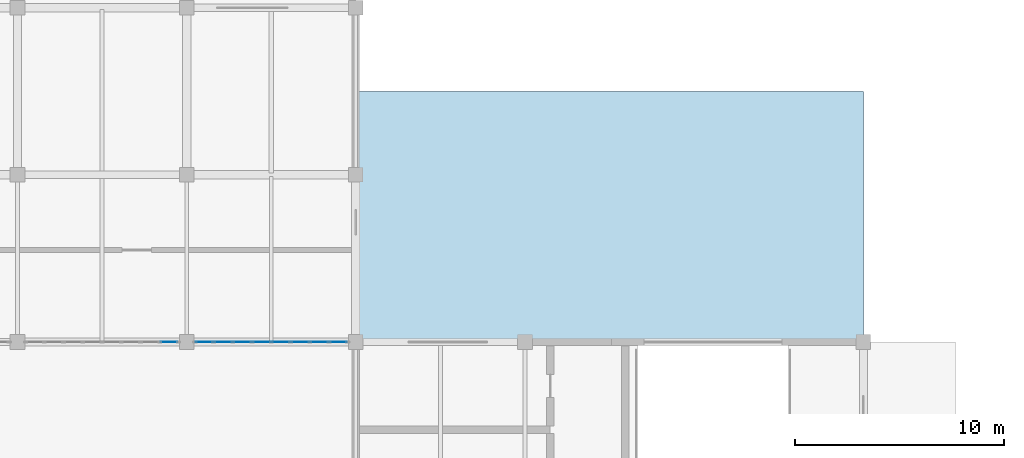
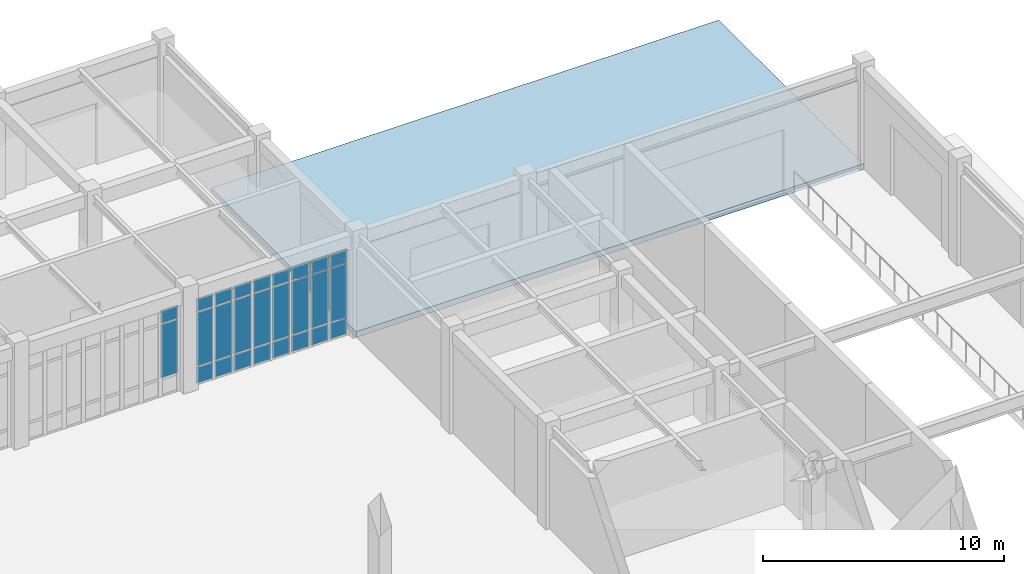
# One storey, part 39 of 62: 26 plates, 1 slab, 2 elements without a shape of their own.
"""IFC4 building model written with IfcOpenShell, lengths in metres."""

from ifc_helpers import new_model, si_unit, direction, frame, origin, origin_2d, place, context, subcontext, project, spatial, polyline, rectangle, outline, extrude, material, layer, layer_set, type_object, element, aggregate, save


model = new_model("IFC4")

# Units and contexts
model_context = context("Model", 3, precision=1e-05, world=origin(), true_north=direction((0.0, 1.0)))
body_context = subcontext(model_context, "Body", "Model", "MODEL_VIEW")
ifc_project = project(units=[si_unit("LENGTHUNIT", "METRE"), si_unit("AREAUNIT", "SQUARE_METRE"), si_unit("VOLUMEUNIT", "CUBIC_METRE"), si_unit("PLANEANGLEUNIT", "RADIAN"), si_unit("MASSUNIT", "GRAM", prefix="KILO")], contexts=[model_context])

# Site, building, storey
site_placement = place(None, origin())
site = spatial("IfcSite", under=ifc_project, at=site_placement, CompositionType="ELEMENT")
building_placement = place(site_placement, origin())
building = spatial("IfcBuilding", under=site, at=building_placement, Name="Tarnveldt Square Police Headquarters", CompositionType="ELEMENT")
storey_placement = place(building_placement, origin())
storey = spatial("IfcBuildingStorey", under=building, at=storey_placement, Name="L00", CompositionType="ELEMENT", Elevation=0.0)

# Curtain wall, plates
ifc_material_1 = material(Name="Triple-glazed low-e laminated vision glass", Category="glass")
curtain_wall_type = type_object("IfcCurtainWallType", Name="CW-LB-737x441", PredefinedType="USERDEFINED", material=ifc_material_1)
curtain_wall_1_placement = place(storey_placement, origin())
curtain_wall_1 = element("IfcCurtainWall", 1, at=curtain_wall_1_placement, inside=storey, type_object=curtain_wall_type, Name="L00 Curtain Wall CW-L00-103", ObjectType="GLAZED CURTAIN WALL", PredefinedType="USERDEFINED")
ifc_layer_1 = layer(ifc_material_1, 0.028076171875)
ifc_layer_set_1 = layer_set([ifc_layer_1], Name="Triple-glazed low-e laminated vision glass")
plate_type = type_object("IfcPlateType", Name="CWP-VIS-28", PredefinedType="CURTAIN_PANEL", material=ifc_layer_set_1)
plate_1_placement = place(storey_placement, frame((96.355712890625, 96.0, 0.9326171875), z_axis=(0.0, 0.0, 1.0), x_axis=(1.0, 0.0, 0.0)))
plate_1 = element("IfcPlate", 2, at=plate_1_placement, type_object=plate_type, Name="CW-LB59 panel 8.2", PredefinedType="CURTAIN_PANEL", context=body_context, shape_type="SweptSolid", body=[
    extrude(rectangle(XDim=0.808837890625, YDim=0.028076171875, at=origin_2d()), origin(), (0.0, 0.0, 1.0), 2.697021484375),
])
plate_2_placement = place(storey_placement, frame((96.355712890625, 96.0, 3.6943359375), z_axis=(0.0, 0.0, 1.0), x_axis=(1.0, 0.0, 0.0)))
plate_2 = element("IfcPlate", 3, at=plate_2_placement, type_object=plate_type, Name="CW-LB59 panel 8.3", PredefinedType="CURTAIN_PANEL", context=body_context, shape_type="SweptSolid", body=[
    extrude(rectangle(XDim=0.808837890625, YDim=0.028076171875, at=origin_2d()), origin(), (0.0, 0.0, 1.0), 0.652587890625),
])
aggregate(curtain_wall_1, [plate_1, plate_2])

curtain_wall_2_placement = place(storey_placement, origin())
curtain_wall_2 = element("IfcCurtainWall", 4, at=curtain_wall_2_placement, inside=storey, type_object=curtain_wall_type, Name="L00 Curtain Wall CW-L00-104", ObjectType="GLAZED CURTAIN WALL", PredefinedType="USERDEFINED")
plate_3_placement = place(storey_placement, frame((98.04443359375, 96.0, 0.06494140625), z_axis=(0.0, 0.0, 1.0), x_axis=(1.0, 0.0, 0.0)))
plate_3 = element("IfcPlate", 5, at=plate_3_placement, type_object=plate_type, Name="CW-LB59 panel 1.1", PredefinedType="CURTAIN_PANEL", context=body_context, shape_type="SweptSolid", body=[
    extrude(rectangle(XDim=0.808837890625, YDim=0.028076171875, at=origin_2d()), origin(), (0.0, 0.0, 1.0), 0.802490234375),
])
plate_4_placement = place(storey_placement, frame((98.04443359375, 96.0, 0.9326171875), z_axis=(0.0, 0.0, 1.0), x_axis=(1.0, 0.0, 0.0)))
plate_4 = element("IfcPlate", 6, at=plate_4_placement, type_object=plate_type, Name="CW-LB59 panel 1.2", PredefinedType="CURTAIN_PANEL", context=body_context, shape_type="SweptSolid", body=[
    extrude(rectangle(XDim=0.808837890625, YDim=0.028076171875, at=origin_2d()), origin(), (0.0, 0.0, 1.0), 2.697021484375),
])
plate_5_placement = place(storey_placement, frame((98.04443359375, 96.0, 3.6943359375), z_axis=(0.0, 0.0, 1.0), x_axis=(1.0, 0.0, 0.0)))
plate_5 = element("IfcPlate", 7, at=plate_5_placement, type_object=plate_type, Name="CW-LB59 panel 1.3", PredefinedType="CURTAIN_PANEL", context=body_context, shape_type="SweptSolid", body=[
    extrude(rectangle(XDim=0.808837890625, YDim=0.028076171875, at=origin_2d()), origin(), (0.0, 0.0, 1.0), 0.652587890625),
])
plate_6_placement = place(storey_placement, frame((98.94677734375, 96.0, 0.06494140625), z_axis=(0.0, 0.0, 1.0), x_axis=(1.0, 0.0, 0.0)))
plate_6 = element("IfcPlate", 8, at=plate_6_placement, type_object=plate_type, Name="CW-LB59 panel 2.1", PredefinedType="CURTAIN_PANEL", context=body_context, shape_type="SweptSolid", body=[
    extrude(rectangle(XDim=0.84619140625, YDim=0.028076171875, at=origin_2d()), origin(), (0.0, 0.0, 1.0), 0.802490234375),
])
plate_7_placement = place(storey_placement, frame((98.94677734375, 96.0, 0.9326171875), z_axis=(0.0, 0.0, 1.0), x_axis=(1.0, 0.0, 0.0)))
plate_7 = element("IfcPlate", 9, at=plate_7_placement, type_object=plate_type, Name="CW-LB59 panel 2.2", PredefinedType="CURTAIN_PANEL", context=body_context, shape_type="SweptSolid", body=[
    extrude(rectangle(XDim=0.84619140625, YDim=0.028076171875, at=origin_2d()), origin(), (0.0, 0.0, 1.0), 2.697021484375),
])
plate_8_placement = place(storey_placement, frame((98.94677734375, 96.0, 3.6943359375), z_axis=(0.0, 0.0, 1.0), x_axis=(1.0, 0.0, 0.0)))
plate_8 = element("IfcPlate", 10, at=plate_8_placement, type_object=plate_type, Name="CW-LB59 panel 2.3", PredefinedType="CURTAIN_PANEL", context=body_context, shape_type="SweptSolid", body=[
    extrude(rectangle(XDim=0.84619140625, YDim=0.028076171875, at=origin_2d()), origin(), (0.0, 0.0, 1.0), 0.652587890625),
])
plate_9_placement = place(storey_placement, frame((99.8681640625, 96.0, 0.06494140625), z_axis=(0.0, 0.0, 1.0), x_axis=(1.0, 0.0, 0.0)))
plate_9 = element("IfcPlate", 11, at=plate_9_placement, type_object=plate_type, Name="CW-LB59 panel 3.1", PredefinedType="CURTAIN_PANEL", context=body_context, shape_type="SweptSolid", body=[
    extrude(rectangle(XDim=0.84619140625, YDim=0.028076171875, at=origin_2d()), origin(), (0.0, 0.0, 1.0), 0.802490234375),
])
plate_10_placement = place(storey_placement, frame((99.8681640625, 96.0, 0.9326171875), z_axis=(0.0, 0.0, 1.0), x_axis=(1.0, 0.0, 0.0)))
plate_10 = element("IfcPlate", 12, at=plate_10_placement, type_object=plate_type, Name="CW-LB59 panel 3.2", PredefinedType="CURTAIN_PANEL", context=body_context, shape_type="SweptSolid", body=[
    extrude(rectangle(XDim=0.84619140625, YDim=0.028076171875, at=origin_2d()), origin(), (0.0, 0.0, 1.0), 2.697021484375),
])
plate_11_placement = place(storey_placement, frame((99.8681640625, 96.0, 3.6943359375), z_axis=(0.0, 0.0, 1.0), x_axis=(1.0, 0.0, 0.0)))
plate_11 = element("IfcPlate", 13, at=plate_11_placement, type_object=plate_type, Name="CW-LB59 panel 3.3", PredefinedType="CURTAIN_PANEL", context=body_context, shape_type="SweptSolid", body=[
    extrude(rectangle(XDim=0.84619140625, YDim=0.028076171875, at=origin_2d()), origin(), (0.0, 0.0, 1.0), 0.652587890625),
])
plate_12_placement = place(storey_placement, frame((100.789306640625, 96.0, 0.06494140625), z_axis=(0.0, 0.0, 1.0), x_axis=(1.0, 0.0, 0.0)))
plate_12 = element("IfcPlate", 14, at=plate_12_placement, type_object=plate_type, Name="CW-LB59 panel 4.1", PredefinedType="CURTAIN_PANEL", context=body_context, shape_type="SweptSolid", body=[
    extrude(rectangle(XDim=0.84619140625, YDim=0.028076171875, at=origin_2d()), origin(), (0.0, 0.0, 1.0), 0.802490234375),
])
plate_13_placement = place(storey_placement, frame((100.789306640625, 96.0, 0.9326171875), z_axis=(0.0, 0.0, 1.0), x_axis=(1.0, 0.0, 0.0)))
plate_13 = element("IfcPlate", 15, at=plate_13_placement, type_object=plate_type, Name="CW-LB59 panel 4.2", PredefinedType="CURTAIN_PANEL", context=body_context, shape_type="SweptSolid", body=[
    extrude(rectangle(XDim=0.84619140625, YDim=0.028076171875, at=origin_2d()), origin(), (0.0, 0.0, 1.0), 2.697021484375),
])
plate_14_placement = place(storey_placement, frame((100.789306640625, 96.0, 3.6943359375), z_axis=(0.0, 0.0, 1.0), x_axis=(1.0, 0.0, 0.0)))
plate_14 = element("IfcPlate", 16, at=plate_14_placement, type_object=plate_type, Name="CW-LB59 panel 4.3", PredefinedType="CURTAIN_PANEL", context=body_context, shape_type="SweptSolid", body=[
    extrude(rectangle(XDim=0.84619140625, YDim=0.028076171875, at=origin_2d()), origin(), (0.0, 0.0, 1.0), 0.652587890625),
])
plate_15_placement = place(storey_placement, frame((101.710693359375, 96.0, 0.06494140625), z_axis=(0.0, 0.0, 1.0), x_axis=(1.0, 0.0, 0.0)))
plate_15 = element("IfcPlate", 17, at=plate_15_placement, type_object=plate_type, Name="CW-LB59 panel 5.1", PredefinedType="CURTAIN_PANEL", context=body_context, shape_type="SweptSolid", body=[
    extrude(rectangle(XDim=0.84619140625, YDim=0.028076171875, at=origin_2d()), origin(), (0.0, 0.0, 1.0), 0.802490234375),
])
plate_16_placement = place(storey_placement, frame((101.710693359375, 96.0, 0.9326171875), z_axis=(0.0, 0.0, 1.0), x_axis=(1.0, 0.0, 0.0)))
plate_16 = element("IfcPlate", 18, at=plate_16_placement, type_object=plate_type, Name="CW-LB59 panel 5.2", PredefinedType="CURTAIN_PANEL", context=body_context, shape_type="SweptSolid", body=[
    extrude(rectangle(XDim=0.84619140625, YDim=0.028076171875, at=origin_2d()), origin(), (0.0, 0.0, 1.0), 2.697021484375),
])
plate_17_placement = place(storey_placement, frame((101.710693359375, 96.0, 3.6943359375), z_axis=(0.0, 0.0, 1.0), x_axis=(1.0, 0.0, 0.0)))
plate_17 = element("IfcPlate", 19, at=plate_17_placement, type_object=plate_type, Name="CW-LB59 panel 5.3", PredefinedType="CURTAIN_PANEL", context=body_context, shape_type="SweptSolid", body=[
    extrude(rectangle(XDim=0.84619140625, YDim=0.028076171875, at=origin_2d()), origin(), (0.0, 0.0, 1.0), 0.652587890625),
])
plate_18_placement = place(storey_placement, frame((102.6318359375, 96.0, 0.06494140625), z_axis=(0.0, 0.0, 1.0), x_axis=(1.0, 0.0, 0.0)))
plate_18 = element("IfcPlate", 20, at=plate_18_placement, type_object=plate_type, Name="CW-LB59 panel 6.1", PredefinedType="CURTAIN_PANEL", context=body_context, shape_type="SweptSolid", body=[
    extrude(rectangle(XDim=0.84619140625, YDim=0.028076171875, at=origin_2d()), origin(), (0.0, 0.0, 1.0), 0.802490234375),
])
plate_19_placement = place(storey_placement, frame((102.6318359375, 96.0, 0.9326171875), z_axis=(0.0, 0.0, 1.0), x_axis=(1.0, 0.0, 0.0)))
plate_19 = element("IfcPlate", 21, at=plate_19_placement, type_object=plate_type, Name="CW-LB59 panel 6.2", PredefinedType="CURTAIN_PANEL", context=body_context, shape_type="SweptSolid", body=[
    extrude(rectangle(XDim=0.84619140625, YDim=0.028076171875, at=origin_2d()), origin(), (0.0, 0.0, 1.0), 2.697021484375),
])
plate_20_placement = place(storey_placement, frame((102.6318359375, 96.0, 3.6943359375), z_axis=(0.0, 0.0, 1.0), x_axis=(1.0, 0.0, 0.0)))
plate_20 = element("IfcPlate", 22, at=plate_20_placement, type_object=plate_type, Name="CW-LB59 panel 6.3", PredefinedType="CURTAIN_PANEL", context=body_context, shape_type="SweptSolid", body=[
    extrude(rectangle(XDim=0.84619140625, YDim=0.028076171875, at=origin_2d()), origin(), (0.0, 0.0, 1.0), 0.652587890625),
])
plate_21_placement = place(storey_placement, frame((103.55322265625, 96.0, 0.06494140625), z_axis=(0.0, 0.0, 1.0), x_axis=(1.0, 0.0, 0.0)))
plate_21 = element("IfcPlate", 23, at=plate_21_placement, type_object=plate_type, Name="CW-LB59 panel 7.1", PredefinedType="CURTAIN_PANEL", context=body_context, shape_type="SweptSolid", body=[
    extrude(rectangle(XDim=0.84619140625, YDim=0.028076171875, at=origin_2d()), origin(), (0.0, 0.0, 1.0), 0.802490234375),
])
plate_22_placement = place(storey_placement, frame((103.55322265625, 96.0, 0.9326171875), z_axis=(0.0, 0.0, 1.0), x_axis=(1.0, 0.0, 0.0)))
plate_22 = element("IfcPlate", 24, at=plate_22_placement, type_object=plate_type, Name="CW-LB59 panel 7.2", PredefinedType="CURTAIN_PANEL", context=body_context, shape_type="SweptSolid", body=[
    extrude(rectangle(XDim=0.84619140625, YDim=0.028076171875, at=origin_2d()), origin(), (0.0, 0.0, 1.0), 2.697021484375),
])
plate_23_placement = place(storey_placement, frame((103.55322265625, 96.0, 3.6943359375), z_axis=(0.0, 0.0, 1.0), x_axis=(1.0, 0.0, 0.0)))
plate_23 = element("IfcPlate", 25, at=plate_23_placement, type_object=plate_type, Name="CW-LB59 panel 7.3", PredefinedType="CURTAIN_PANEL", context=body_context, shape_type="SweptSolid", body=[
    extrude(rectangle(XDim=0.84619140625, YDim=0.028076171875, at=origin_2d()), origin(), (0.0, 0.0, 1.0), 0.652587890625),
])
plate_24_placement = place(storey_placement, frame((104.45556640625, 96.0, 0.06494140625), z_axis=(0.0, 0.0, 1.0), x_axis=(1.0, 0.0, 0.0)))
plate_24 = element("IfcPlate", 26, at=plate_24_placement, type_object=plate_type, Name="CW-LB59 panel 8.1", PredefinedType="CURTAIN_PANEL", context=body_context, shape_type="SweptSolid", body=[
    extrude(rectangle(XDim=0.808837890625, YDim=0.028076171875, at=origin_2d()), origin(), (0.0, 0.0, 1.0), 0.802490234375),
])
plate_25_placement = place(storey_placement, frame((104.45556640625, 96.0, 0.9326171875), z_axis=(0.0, 0.0, 1.0), x_axis=(1.0, 0.0, 0.0)))
plate_25 = element("IfcPlate", 27, at=plate_25_placement, type_object=plate_type, Name="CW-LB59 panel 8.2", PredefinedType="CURTAIN_PANEL", context=body_context, shape_type="SweptSolid", body=[
    extrude(rectangle(XDim=0.808837890625, YDim=0.028076171875, at=origin_2d()), origin(), (0.0, 0.0, 1.0), 2.697021484375),
])
plate_26_placement = place(storey_placement, frame((104.45556640625, 96.0, 3.6943359375), z_axis=(0.0, 0.0, 1.0), x_axis=(1.0, 0.0, 0.0)))
plate_26 = element("IfcPlate", 28, at=plate_26_placement, type_object=plate_type, Name="CW-LB59 panel 8.3", PredefinedType="CURTAIN_PANEL", context=body_context, shape_type="SweptSolid", body=[
    extrude(rectangle(XDim=0.808837890625, YDim=0.028076171875, at=origin_2d()), origin(), (0.0, 0.0, 1.0), 0.652587890625),
])
aggregate(curtain_wall_2, [plate_3, plate_4, plate_5, plate_6, plate_7, plate_8, plate_9, plate_10, plate_11, plate_12, plate_13, plate_14, plate_15, plate_16, plate_17, plate_18, plate_19, plate_20, plate_21, plate_22, plate_23, plate_24, plate_25, plate_26])

# Slab
ifc_material_2 = material(Name="Concrete 40 MPa", Category="concrete")
ifc_layer_2 = layer(ifc_material_2, 0.2900390625)
ifc_layer_set_2 = layer_set([ifc_layer_2], Name="Concrete 40 MPa")
slab_type = type_object("IfcSlabType", Name="SL-APRON-290", PredefinedType="FLOOR", material=ifc_layer_set_2)
slab_placement = place(storey_placement, frame((0.0, 0.0, -0.2900390625)))
element("IfcSlab", 29, at=slab_placement, inside=storey, type_object=slab_type, Name="North-East Secure Sally-Port and Vehicle Ramp Exterior Driveway Apron", PredefinedType="FLOOR", context=body_context, shape_type="SweptSolid", body=[
    extrude(outline(polyline([(129.60009765625, 108.0), (129.60009765625, 96.0), (105.300048828125, 96.0), (105.300048828125, 108.0), (129.60009765625, 108.0)])), origin(), (0.0, 0.0, 1.0), 0.2900390625),
])

save(model, "model.ifc")
